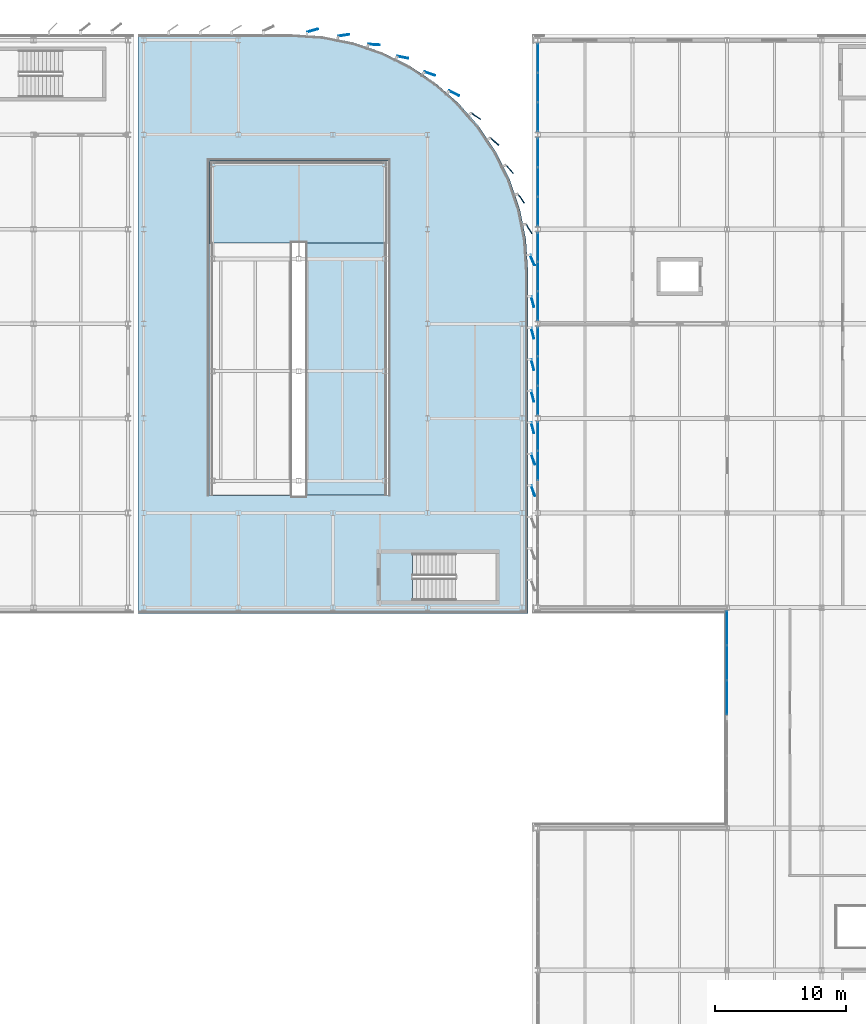
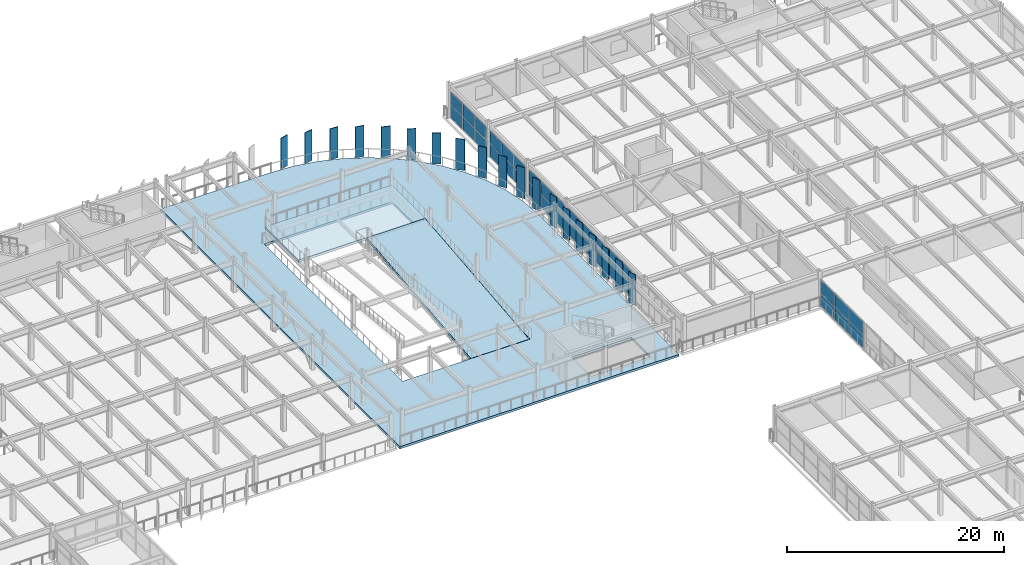
# One storey, part 58 of 93: 53 plates, 3 slabs, 6 elements without a shape of their own.
"""IFC4 building model written with IfcOpenShell, lengths in metres."""

from ifc_helpers import new_model, si_unit, direction, frame, origin, origin_2d, place, context, subcontext, project, spatial, polyline, rectangle, outline, extrude, material, layer, layer_set, type_object, element, aggregate, save


model = new_model("IFC4")

# Units and contexts
model_context = context("Model", 3, precision=1e-05, world=origin(), true_north=direction((0.0, 1.0)))
body_context = subcontext(model_context, "Body", "Model", "MODEL_VIEW")
ifc_project = project(units=[si_unit("LENGTHUNIT", "METRE"), si_unit("AREAUNIT", "SQUARE_METRE"), si_unit("VOLUMEUNIT", "CUBIC_METRE"), si_unit("PLANEANGLEUNIT", "RADIAN"), si_unit("MASSUNIT", "GRAM", prefix="KILO")], contexts=[model_context])

# Site, building, storey
site_placement = place(None, origin())
site = spatial("IfcSite", under=ifc_project, at=site_placement, CompositionType="ELEMENT")
building_placement = place(site_placement, origin())
building = spatial("IfcBuilding", under=site, at=building_placement, Name="Vaelcorin Mobility Hub", CompositionType="ELEMENT")
storey_placement = place(building_placement, frame((0.0, 0.0, 5.39990234375)))
storey = spatial("IfcBuildingStorey", under=building, at=storey_placement, Name="L01", CompositionType="ELEMENT", Elevation=5.39990234375)

# Curtain wall, plates
ifc_material_1 = material(Name="Anodised aluminium 6063-T6", Category="aluminium")
curtain_wall_type = type_object("IfcCurtainWallType", Name="CW-MOB-A", PredefinedType="NOTDEFINED", material=ifc_material_1)
curtain_wall_1_placement = place(storey_placement, origin())
curtain_wall_1 = element("IfcCurtainWall", 1, at=curtain_wall_1_placement, inside=storey, type_object=curtain_wall_type, Name="L01 Curtain Wall CW-V5-L01-WN-02", PredefinedType="NOTDEFINED")
ifc_material_2 = material(Name="Low-E solar-control insulated glazing", Category="glass")
ifc_layer_1 = layer(ifc_material_2, 0.028076171875)
ifc_layer_set_1 = layer_set([ifc_layer_1], Name="Low-E solar-control insulated glazing")
plate_type_1 = type_object("IfcPlateType", Name="CW-PAN-GLZ28", PredefinedType="CURTAIN_PANEL", material=ifc_layer_set_1)
plate_1_placement = place(storey_placement, frame((153.60009765625, 87.60009765625, 0.06005859375), z_axis=(0.0, 0.0, 1.0), x_axis=(0.0, 1.0, 0.0)))
plate_1 = element("IfcPlate", 2, at=plate_1_placement, type_object=plate_type_1, Name="CW7 panel 2.1", PredefinedType="CURTAIN_PANEL", context=body_context, shape_type="SweptSolid", body=[
    extrude(rectangle(XDim=2.193359375, YDim=0.028076171875, at=origin_2d()), origin(), (0.0, 0.0, 1.0), 1.431884765625),
])
plate_2_placement = place(storey_placement, frame((153.60009765625, 87.60009765625, 1.55224609375), z_axis=(0.0, 0.0, 1.0), x_axis=(0.0, 1.0, 0.0)))
plate_2 = element("IfcPlate", 3, at=plate_2_placement, type_object=plate_type_1, Name="CW7 panel 2.2", PredefinedType="CURTAIN_PANEL", context=body_context, shape_type="SweptSolid", body=[
    extrude(rectangle(XDim=2.193359375, YDim=0.028076171875, at=origin_2d()), origin(), (0.0, 0.0, 1.0), 1.430908203125),
])
plate_3_placement = place(storey_placement, frame((153.60009765625, 89.83837890625, 0.06005859375), z_axis=(0.0, 0.0, 1.0), x_axis=(0.0, 1.0, 0.0)))
plate_3 = element("IfcPlate", 4, at=plate_3_placement, type_object=plate_type_1, Name="CW7 panel 3.1", PredefinedType="CURTAIN_PANEL", context=body_context, shape_type="SweptSolid", body=[
    extrude(rectangle(XDim=2.163330078125, YDim=0.028076171875, at=origin_2d()), origin(), (0.0, 0.0, 1.0), 1.431884765625),
])
plate_4_placement = place(storey_placement, frame((153.60009765625, 89.83837890625, 1.55224609375), z_axis=(0.0, 0.0, 1.0), x_axis=(0.0, 1.0, 0.0)))
plate_4 = element("IfcPlate", 5, at=plate_4_placement, type_object=plate_type_1, Name="CW7 panel 3.2", PredefinedType="CURTAIN_PANEL", context=body_context, shape_type="SweptSolid", body=[
    extrude(rectangle(XDim=2.163330078125, YDim=0.028076171875, at=origin_2d()), origin(), (0.0, 0.0, 1.0), 1.430908203125),
])
aggregate(curtain_wall_1, [plate_1, plate_2, plate_3, plate_4])

curtain_wall_2_placement = place(storey_placement, origin())
curtain_wall_2 = element("IfcCurtainWall", 6, at=curtain_wall_2_placement, inside=storey, type_object=curtain_wall_type, Name="L01 Curtain Wall CW-V5-L01-WN-03", PredefinedType="NOTDEFINED")
plate_5_placement = place(storey_placement, frame((153.60009765625, 92.561767578125, 0.06005859375), z_axis=(0.0, 0.0, 1.0), x_axis=(0.0, 1.0, 0.0)))
plate_5 = element("IfcPlate", 7, at=plate_5_placement, type_object=plate_type_1, Name="CW7 panel 1.1", PredefinedType="CURTAIN_PANEL", context=body_context, shape_type="SweptSolid", body=[
    extrude(rectangle(XDim=2.163330078125, YDim=0.028076171875, at=origin_2d()), origin(), (0.0, 0.0, 1.0), 1.431884765625),
])
plate_6_placement = place(storey_placement, frame((153.60009765625, 92.561767578125, 1.55224609375), z_axis=(0.0, 0.0, 1.0), x_axis=(0.0, 1.0, 0.0)))
plate_6 = element("IfcPlate", 8, at=plate_6_placement, type_object=plate_type_1, Name="CW7 panel 1.2", PredefinedType="CURTAIN_PANEL", context=body_context, shape_type="SweptSolid", body=[
    extrude(rectangle(XDim=2.163330078125, YDim=0.028076171875, at=origin_2d()), origin(), (0.0, 0.0, 1.0), 1.430908203125),
])
plate_7_placement = place(storey_placement, frame((153.60009765625, 94.800048828125, 0.06005859375), z_axis=(0.0, 0.0, 1.0), x_axis=(0.0, 1.0, 0.0)))
plate_7 = element("IfcPlate", 9, at=plate_7_placement, type_object=plate_type_1, Name="CW7 panel 2.1", PredefinedType="CURTAIN_PANEL", context=body_context, shape_type="SweptSolid", body=[
    extrude(rectangle(XDim=2.193359375, YDim=0.028076171875, at=origin_2d()), origin(), (0.0, 0.0, 1.0), 1.431884765625),
])
plate_8_placement = place(storey_placement, frame((153.60009765625, 94.800048828125, 1.55224609375), z_axis=(0.0, 0.0, 1.0), x_axis=(0.0, 1.0, 0.0)))
plate_8 = element("IfcPlate", 10, at=plate_8_placement, type_object=plate_type_1, Name="CW7 panel 2.2", PredefinedType="CURTAIN_PANEL", context=body_context, shape_type="SweptSolid", body=[
    extrude(rectangle(XDim=2.193359375, YDim=0.028076171875, at=origin_2d()), origin(), (0.0, 0.0, 1.0), 1.430908203125),
])
plate_9_placement = place(storey_placement, frame((153.60009765625, 97.038330078125, 0.06005859375), z_axis=(0.0, 0.0, 1.0), x_axis=(0.0, 1.0, 0.0)))
plate_9 = element("IfcPlate", 11, at=plate_9_placement, type_object=plate_type_1, Name="CW7 panel 3.1", PredefinedType="CURTAIN_PANEL", context=body_context, shape_type="SweptSolid", body=[
    extrude(rectangle(XDim=2.163330078125, YDim=0.028076171875, at=origin_2d()), origin(), (0.0, 0.0, 1.0), 1.431884765625),
])
plate_10_placement = place(storey_placement, frame((153.60009765625, 97.038330078125, 1.55224609375), z_axis=(0.0, 0.0, 1.0), x_axis=(0.0, 1.0, 0.0)))
plate_10 = element("IfcPlate", 12, at=plate_10_placement, type_object=plate_type_1, Name="CW7 panel 3.2", PredefinedType="CURTAIN_PANEL", context=body_context, shape_type="SweptSolid", body=[
    extrude(rectangle(XDim=2.163330078125, YDim=0.028076171875, at=origin_2d()), origin(), (0.0, 0.0, 1.0), 1.430908203125),
])
aggregate(curtain_wall_2, [plate_5, plate_6, plate_7, plate_8, plate_9, plate_10])

curtain_wall_3_placement = place(storey_placement, origin())
curtain_wall_3 = element("IfcCurtainWall", 13, at=curtain_wall_3_placement, inside=storey, type_object=curtain_wall_type, Name="L01 Curtain Wall CW-V5-L01-WN-04", PredefinedType="NOTDEFINED")
plate_11_placement = place(storey_placement, frame((153.60009765625, 99.76171875, 0.06005859375), z_axis=(0.0, 0.0, 1.0), x_axis=(0.0, 1.0, 0.0)))
plate_11 = element("IfcPlate", 14, at=plate_11_placement, type_object=plate_type_1, Name="CW7 panel 1.1", PredefinedType="CURTAIN_PANEL", context=body_context, shape_type="SweptSolid", body=[
    extrude(rectangle(XDim=2.163330078125, YDim=0.028076171875, at=origin_2d()), origin(), (0.0, 0.0, 1.0), 1.431884765625),
])
plate_12_placement = place(storey_placement, frame((153.60009765625, 99.76171875, 1.55224609375), z_axis=(0.0, 0.0, 1.0), x_axis=(0.0, 1.0, 0.0)))
plate_12 = element("IfcPlate", 15, at=plate_12_placement, type_object=plate_type_1, Name="CW7 panel 1.2", PredefinedType="CURTAIN_PANEL", context=body_context, shape_type="SweptSolid", body=[
    extrude(rectangle(XDim=2.163330078125, YDim=0.028076171875, at=origin_2d()), origin(), (0.0, 0.0, 1.0), 1.430908203125),
])
plate_13_placement = place(storey_placement, frame((153.60009765625, 102.0, 0.06005859375), z_axis=(0.0, 0.0, 1.0), x_axis=(0.0, 1.0, 0.0)))
plate_13 = element("IfcPlate", 16, at=plate_13_placement, type_object=plate_type_1, Name="CW7 panel 2.1", PredefinedType="CURTAIN_PANEL", context=body_context, shape_type="SweptSolid", body=[
    extrude(rectangle(XDim=2.193359375, YDim=0.028076171875, at=origin_2d()), origin(), (0.0, 0.0, 1.0), 1.431884765625),
])
plate_14_placement = place(storey_placement, frame((153.60009765625, 102.0, 1.55224609375), z_axis=(0.0, 0.0, 1.0), x_axis=(0.0, 1.0, 0.0)))
plate_14 = element("IfcPlate", 17, at=plate_14_placement, type_object=plate_type_1, Name="CW7 panel 2.2", PredefinedType="CURTAIN_PANEL", context=body_context, shape_type="SweptSolid", body=[
    extrude(rectangle(XDim=2.193359375, YDim=0.028076171875, at=origin_2d()), origin(), (0.0, 0.0, 1.0), 1.430908203125),
])
plate_15_placement = place(storey_placement, frame((153.60009765625, 104.23828125, 0.06005859375), z_axis=(0.0, 0.0, 1.0), x_axis=(0.0, 1.0, 0.0)))
plate_15 = element("IfcPlate", 18, at=plate_15_placement, type_object=plate_type_1, Name="CW7 panel 3.1", PredefinedType="CURTAIN_PANEL", context=body_context, shape_type="SweptSolid", body=[
    extrude(rectangle(XDim=2.163330078125, YDim=0.028076171875, at=origin_2d()), origin(), (0.0, 0.0, 1.0), 1.431884765625),
])
plate_16_placement = place(storey_placement, frame((153.60009765625, 104.23828125, 1.55224609375), z_axis=(0.0, 0.0, 1.0), x_axis=(0.0, 1.0, 0.0)))
plate_16 = element("IfcPlate", 19, at=plate_16_placement, type_object=plate_type_1, Name="CW7 panel 3.2", PredefinedType="CURTAIN_PANEL", context=body_context, shape_type="SweptSolid", body=[
    extrude(rectangle(XDim=2.163330078125, YDim=0.028076171875, at=origin_2d()), origin(), (0.0, 0.0, 1.0), 1.430908203125),
])
aggregate(curtain_wall_3, [plate_11, plate_12, plate_13, plate_14, plate_15, plate_16])

curtain_wall_4_placement = place(storey_placement, origin())
curtain_wall_4 = element("IfcCurtainWall", 20, at=curtain_wall_4_placement, inside=storey, type_object=curtain_wall_type, Name="L01 Curtain Wall CW-V5-L01-WN-05", PredefinedType="NOTDEFINED")
plate_17_placement = place(storey_placement, frame((153.60009765625, 106.961669921875, 0.06005859375), z_axis=(0.0, 0.0, 1.0), x_axis=(0.0, 1.0, 0.0)))
plate_17 = element("IfcPlate", 21, at=plate_17_placement, type_object=plate_type_1, Name="CW7 panel 1.1", PredefinedType="CURTAIN_PANEL", context=body_context, shape_type="SweptSolid", body=[
    extrude(rectangle(XDim=2.163330078125, YDim=0.028076171875, at=origin_2d()), origin(), (0.0, 0.0, 1.0), 1.431884765625),
])
plate_18_placement = place(storey_placement, frame((153.60009765625, 106.961669921875, 1.55224609375), z_axis=(0.0, 0.0, 1.0), x_axis=(0.0, 1.0, 0.0)))
plate_18 = element("IfcPlate", 22, at=plate_18_placement, type_object=plate_type_1, Name="CW7 panel 1.2", PredefinedType="CURTAIN_PANEL", context=body_context, shape_type="SweptSolid", body=[
    extrude(rectangle(XDim=2.163330078125, YDim=0.028076171875, at=origin_2d()), origin(), (0.0, 0.0, 1.0), 1.430908203125),
])
plate_19_placement = place(storey_placement, frame((153.60009765625, 109.199951171875, 0.06005859375), z_axis=(0.0, 0.0, 1.0), x_axis=(0.0, 1.0, 0.0)))
plate_19 = element("IfcPlate", 23, at=plate_19_placement, type_object=plate_type_1, Name="CW7 panel 2.1", PredefinedType="CURTAIN_PANEL", context=body_context, shape_type="SweptSolid", body=[
    extrude(rectangle(XDim=2.193359375, YDim=0.028076171875, at=origin_2d()), origin(), (0.0, 0.0, 1.0), 1.431884765625),
])
plate_20_placement = place(storey_placement, frame((153.60009765625, 109.199951171875, 1.55224609375), z_axis=(0.0, 0.0, 1.0), x_axis=(0.0, 1.0, 0.0)))
plate_20 = element("IfcPlate", 24, at=plate_20_placement, type_object=plate_type_1, Name="CW7 panel 2.2", PredefinedType="CURTAIN_PANEL", context=body_context, shape_type="SweptSolid", body=[
    extrude(rectangle(XDim=2.193359375, YDim=0.028076171875, at=origin_2d()), origin(), (0.0, 0.0, 1.0), 1.430908203125),
])
plate_21_placement = place(storey_placement, frame((153.60009765625, 111.438232421875, 0.06005859375), z_axis=(0.0, 0.0, 1.0), x_axis=(0.0, 1.0, 0.0)))
plate_21 = element("IfcPlate", 25, at=plate_21_placement, type_object=plate_type_1, Name="CW7 panel 3.1", PredefinedType="CURTAIN_PANEL", context=body_context, shape_type="SweptSolid", body=[
    extrude(rectangle(XDim=2.163330078125, YDim=0.028076171875, at=origin_2d()), origin(), (0.0, 0.0, 1.0), 1.431884765625),
])
plate_22_placement = place(storey_placement, frame((153.60009765625, 111.438232421875, 1.55224609375), z_axis=(0.0, 0.0, 1.0), x_axis=(0.0, 1.0, 0.0)))
plate_22 = element("IfcPlate", 26, at=plate_22_placement, type_object=plate_type_1, Name="CW7 panel 3.2", PredefinedType="CURTAIN_PANEL", context=body_context, shape_type="SweptSolid", body=[
    extrude(rectangle(XDim=2.163330078125, YDim=0.028076171875, at=origin_2d()), origin(), (0.0, 0.0, 1.0), 1.430908203125),
])
aggregate(curtain_wall_4, [plate_17, plate_18, plate_19, plate_20, plate_21, plate_22])

curtain_wall_5_placement = place(storey_placement, origin())
curtain_wall_5 = element("IfcCurtainWall", 27, at=curtain_wall_5_placement, inside=storey, type_object=curtain_wall_type, Name="L01 Curtain Wall CW-V5-L01-WN-06", PredefinedType="NOTDEFINED")
plate_23_placement = place(storey_placement, frame((153.60009765625, 114.16162109375, 0.06005859375), z_axis=(0.0, 0.0, 1.0), x_axis=(0.0, 1.0, 0.0)))
plate_23 = element("IfcPlate", 28, at=plate_23_placement, type_object=plate_type_1, Name="CW7 panel 1.1", PredefinedType="CURTAIN_PANEL", context=body_context, shape_type="SweptSolid", body=[
    extrude(rectangle(XDim=2.163330078125, YDim=0.028076171875, at=origin_2d()), origin(), (0.0, 0.0, 1.0), 1.431884765625),
])
plate_24_placement = place(storey_placement, frame((153.60009765625, 114.16162109375, 1.55224609375), z_axis=(0.0, 0.0, 1.0), x_axis=(0.0, 1.0, 0.0)))
plate_24 = element("IfcPlate", 29, at=plate_24_placement, type_object=plate_type_1, Name="CW7 panel 1.2", PredefinedType="CURTAIN_PANEL", context=body_context, shape_type="SweptSolid", body=[
    extrude(rectangle(XDim=2.163330078125, YDim=0.028076171875, at=origin_2d()), origin(), (0.0, 0.0, 1.0), 1.430908203125),
])
plate_25_placement = place(storey_placement, frame((153.60009765625, 116.39990234375, 0.06005859375), z_axis=(0.0, 0.0, 1.0), x_axis=(0.0, 1.0, 0.0)))
plate_25 = element("IfcPlate", 30, at=plate_25_placement, type_object=plate_type_1, Name="CW7 panel 2.1", PredefinedType="CURTAIN_PANEL", context=body_context, shape_type="SweptSolid", body=[
    extrude(rectangle(XDim=2.193359375, YDim=0.028076171875, at=origin_2d()), origin(), (0.0, 0.0, 1.0), 1.431884765625),
])
plate_26_placement = place(storey_placement, frame((153.60009765625, 116.39990234375, 1.55224609375), z_axis=(0.0, 0.0, 1.0), x_axis=(0.0, 1.0, 0.0)))
plate_26 = element("IfcPlate", 31, at=plate_26_placement, type_object=plate_type_1, Name="CW7 panel 2.2", PredefinedType="CURTAIN_PANEL", context=body_context, shape_type="SweptSolid", body=[
    extrude(rectangle(XDim=2.193359375, YDim=0.028076171875, at=origin_2d()), origin(), (0.0, 0.0, 1.0), 1.430908203125),
])
plate_27_placement = place(storey_placement, frame((153.60009765625, 118.638427734375, 0.06005859375), z_axis=(0.0, 0.0, 1.0), x_axis=(0.0, 1.0, 0.0)))
plate_27 = element("IfcPlate", 32, at=plate_27_placement, type_object=plate_type_1, Name="CW7 panel 3.1", PredefinedType="CURTAIN_PANEL", context=body_context, shape_type="SweptSolid", body=[
    extrude(rectangle(XDim=2.163330078125, YDim=0.028076171875, at=origin_2d()), origin(), (0.0, 0.0, 1.0), 1.431884765625),
])
plate_28_placement = place(storey_placement, frame((153.60009765625, 118.638427734375, 1.55224609375), z_axis=(0.0, 0.0, 1.0), x_axis=(0.0, 1.0, 0.0)))
plate_28 = element("IfcPlate", 33, at=plate_28_placement, type_object=plate_type_1, Name="CW7 panel 3.2", PredefinedType="CURTAIN_PANEL", context=body_context, shape_type="SweptSolid", body=[
    extrude(rectangle(XDim=2.163330078125, YDim=0.028076171875, at=origin_2d()), origin(), (0.0, 0.0, 1.0), 1.430908203125),
])
aggregate(curtain_wall_5, [plate_23, plate_24, plate_25, plate_26, plate_27, plate_28])

curtain_wall_6_placement = place(storey_placement, origin())
curtain_wall_6 = element("IfcCurtainWall", 34, at=curtain_wall_6_placement, inside=storey, type_object=curtain_wall_type, Name="L01 Curtain Wall CW-V5-L01-NOTCH-2", PredefinedType="NOTDEFINED")
plate_29_placement = place(storey_placement, frame((168.0, 69.961669921875, 0.06005859375), z_axis=(0.0, 0.0, 1.0), x_axis=(0.0, 1.0, 0.0)))
plate_29 = element("IfcPlate", 35, at=plate_29_placement, type_object=plate_type_1, Name="CW7 panel 1.1", PredefinedType="CURTAIN_PANEL", context=body_context, shape_type="SweptSolid", body=[
    extrude(rectangle(XDim=2.563232421875, YDim=0.028076171875, at=origin_2d()), origin(), (0.0, 0.0, 1.0), 1.431884765625),
])
plate_30_placement = place(storey_placement, frame((168.0, 69.961669921875, 1.55224609375), z_axis=(0.0, 0.0, 1.0), x_axis=(0.0, 1.0, 0.0)))
plate_30 = element("IfcPlate", 36, at=plate_30_placement, type_object=plate_type_1, Name="CW7 panel 1.2", PredefinedType="CURTAIN_PANEL", context=body_context, shape_type="SweptSolid", body=[
    extrude(rectangle(XDim=2.563232421875, YDim=0.028076171875, at=origin_2d()), origin(), (0.0, 0.0, 1.0), 1.430908203125),
])
plate_31_placement = place(storey_placement, frame((168.0, 72.60009765625, 0.06005859375), z_axis=(0.0, 0.0, 1.0), x_axis=(0.0, 1.0, 0.0)))
plate_31 = element("IfcPlate", 37, at=plate_31_placement, type_object=plate_type_1, Name="CW7 panel 2.1", PredefinedType="CURTAIN_PANEL", context=body_context, shape_type="SweptSolid", body=[
    extrude(rectangle(XDim=2.59326171875, YDim=0.028076171875, at=origin_2d()), origin(), (0.0, 0.0, 1.0), 1.431884765625),
])
plate_32_placement = place(storey_placement, frame((168.0, 72.60009765625, 1.55224609375), z_axis=(0.0, 0.0, 1.0), x_axis=(0.0, 1.0, 0.0)))
plate_32 = element("IfcPlate", 38, at=plate_32_placement, type_object=plate_type_1, Name="CW7 panel 2.2", PredefinedType="CURTAIN_PANEL", context=body_context, shape_type="SweptSolid", body=[
    extrude(rectangle(XDim=2.59326171875, YDim=0.028076171875, at=origin_2d()), origin(), (0.0, 0.0, 1.0), 1.430908203125),
])
plate_33_placement = place(storey_placement, frame((168.0, 75.23828125, 0.06005859375), z_axis=(0.0, 0.0, 1.0), x_axis=(0.0, 1.0, 0.0)))
plate_33 = element("IfcPlate", 39, at=plate_33_placement, type_object=plate_type_1, Name="CW7 panel 3.1", PredefinedType="CURTAIN_PANEL", context=body_context, shape_type="SweptSolid", body=[
    extrude(rectangle(XDim=2.563232421875, YDim=0.028076171875, at=origin_2d()), origin(), (0.0, 0.0, 1.0), 1.431884765625),
])
plate_34_placement = place(storey_placement, frame((168.0, 75.23828125, 1.55224609375), z_axis=(0.0, 0.0, 1.0), x_axis=(0.0, 1.0, 0.0)))
plate_34 = element("IfcPlate", 40, at=plate_34_placement, type_object=plate_type_1, Name="CW7 panel 3.2", PredefinedType="CURTAIN_PANEL", context=body_context, shape_type="SweptSolid", body=[
    extrude(rectangle(XDim=2.563232421875, YDim=0.028076171875, at=origin_2d()), origin(), (0.0, 0.0, 1.0), 1.430908203125),
])
aggregate(curtain_wall_6, [plate_29, plate_30, plate_31, plate_32, plate_33, plate_34])

# Plates
ifc_material_3 = material(Name="Perforated terracotta-bronze aluminium aerofoil", Category="masonry")
ifc_layer_2 = layer(ifc_material_3, 0.070068359375)
ifc_layer_set_2 = layer_set([ifc_layer_2], Name="Perforated terracotta-bronze aluminium aerofoil")
plate_type_2 = type_object("IfcPlateType", Name="PL-FIN-AF3", PredefinedType="SHEET", material=ifc_layer_set_2)
for number, where, z_axis, x_axis, name in (
    (41, (153.18408203125, 103.2509765625, -0.159912109375), (0.0, 0.0, 1.0), (0.402762664996, -0.915304449724, 0.0), "Rotating Terracotta-Bronze Aerofoil Fin FIN-V2E-L01-ARC-01"),
    (42, (152.922119140625, 105.636962890625, -0.159912109375), (0.0, 0.0, 1.0), (0.51859419446, -0.855020503539, 0.0), "Rotating Terracotta-Bronze Aerofoil Fin FIN-V2E-L01-ARC-02"),
    (43, (152.322021484375, 107.947021484375, -0.159912109375), (0.0, 0.0, 1.0), (0.555686322663, -0.831392031959, 0.0), "Rotating Terracotta-Bronze Aerofoil Fin FIN-V2E-L01-ARC-03"),
    (44, (151.455078125, 110.180908203125, -0.159912109375), (0.0, 0.0, 1.0), (0.659477025858, -0.751724718475, 0.0), "Rotating Terracotta-Bronze Aerofoil Fin FIN-V2E-L01-ARC-04"),
    (45, (150.302978515625, 112.281982421875, -0.159912109375), (0.0, 0.0, 1.0), (0.751770756824, -0.659424543965, 0.0), "Rotating Terracotta-Bronze Aerofoil Fin FIN-V2E-L01-ARC-05"),
    (46, (148.887939453125, 114.215087890625, -0.159912109375), (0.0, 0.0, 1.0), (0.831421126488, -0.555642790316, 0.0), "Rotating Terracotta-Bronze Aerofoil Fin FIN-V2E-L01-ARC-06"),
    (47, (147.23193359375, 115.947021484375, -0.159912109375), (0.0, 0.0, 1.0), (0.896911335087, -0.442210421623, 0.0), "Rotating Terracotta-Bronze Aerofoil Fin FIN-V2E-L01-ARC-07"),
    (48, (145.364990234375, 117.447021484375, -0.159912109375), (0.0, 0.0, 1.0), (0.946963785365, -0.32134030125, 0.0), "Rotating Terracotta-Bronze Aerofoil Fin FIN-V2E-L01-ARC-08"),
    (49, (143.31689453125, 118.69091796875, -0.159912109375), (0.0, 0.0, 1.0), (0.980751215781, -0.195261498368, 0.0), "Rotating Terracotta-Bronze Aerofoil Fin FIN-V2E-L01-ARC-09"),
    (50, (141.125, 119.657958984375, -0.159912109375), (0.0, 0.0, 1.0), (0.997849781512, -0.065542455982, 0.0), "Rotating Terracotta-Bronze Aerofoil Fin FIN-V2E-L01-ARC-10"),
    (51, (138.821044921875, 120.366943359375, -0.159912109375), (0.0, 0.0, 1.0), (0.988329628143, 0.152330384803, 0.0), "Rotating Terracotta-Bronze Aerofoil Fin FIN-V2E-L01-ARC-11"),
    (52, (136.447998046875, 120.73095703125, -0.159912109375), (0.0, 0.0, 1.0), (0.960054738177, 0.279812257957, 0.0), "Rotating Terracotta-Bronze Aerofoil Fin FIN-V2E-L01-ARC-12"),
    (53, (153.199951171875, 100.089111328125, -0.159912109375), (0.0, 0.0, 1.0), (0.258819045103, -0.965925826289, 0.0), "Rotating Terracotta-Bronze Aerofoil Fin FIN-V2E-L01-E-AF-01"),
    (54, (153.199951171875, 97.68896484375, -0.159912109375), (0.0, 0.0, 1.0), (0.258819045103, -0.965925826289, 0.0), "Rotating Terracotta-Bronze Aerofoil Fin FIN-V2E-L01-E-AF-02"),
    (55, (153.199951171875, 95.2890625, -0.159912109375), (0.0, 0.0, 1.0), (0.258819045103, -0.965925826289, 0.0), "Rotating Terracotta-Bronze Aerofoil Fin FIN-V2E-L01-E-AF-03"),
    (56, (153.199951171875, 92.888916015625, -0.159912109375), (0.0, 0.0, 1.0), (0.258819045103, -0.965925826289, 0.0), "Rotating Terracotta-Bronze Aerofoil Fin FIN-V2E-L01-E-AF-04"),
    (57, (153.199951171875, 90.489013671875, -0.159912109375), (0.0, 0.0, 1.0), (0.258819045103, -0.965925826289, 0.0), "Rotating Terracotta-Bronze Aerofoil Fin FIN-V2E-L01-E-AF-05"),
    (58, (153.235107421875, 88.10107421875, -0.159912109375), (0.0, 0.0, 1.0), (0.342020143326, -0.939692620786, 0.0), "Rotating Terracotta-Bronze Aerofoil Fin FIN-V2E-L01-E-AF-06"),
    (59, (153.235107421875, 85.700927734375, -0.159912109375), (0.0, 0.0, 1.0), (0.342020143326, -0.939692620786, 0.0), "Rotating Terracotta-Bronze Aerofoil Fin FIN-V2E-L01-E-AF-07"),
):
    element("IfcPlate", number, at=place(storey_placement, frame(where, z_axis=z_axis, x_axis=x_axis)), inside=storey, type_object=plate_type_2, Name=name, PredefinedType="SHEET", context=body_context, shape_type="SweptSolid", body=[
        extrude(rectangle(XDim=0.85009765625, YDim=0.070068359375, at=origin_2d()), origin(), (0.0, 0.0, 1.0), 3.5),
    ])

# Slabs
ifc_material_4 = material(Name="Concrete f'c 35 MPa", Category="concrete")
ifc_layer_3 = layer(ifc_material_4, 0.25)
ifc_layer_set_3 = layer_set([ifc_layer_3], Name="Concrete f'c 35 MPa")
slab_type_1 = type_object("IfcSlabType", Name="SLAB-RMP", PredefinedType="FLOOR", material=ifc_layer_set_3)
slab_1_placement = place(storey_placement, frame((0.0, 0.0, -0.25)))
element("IfcSlab", 60, at=slab_1_placement, inside=storey, type_object=slab_type_1, Name="L01 V2E Ramp Transition Deck SL-V2E-L01", PredefinedType="FLOOR", context=body_context, shape_type="SweptSolid", body=[
    extrude(outline(polyline([(123.14990234375, 120.449951171875), (134.85009765625, 120.449951171875), (137.198974609375, 120.2958984375), (139.509033203125, 119.8369140625), (141.738037109375, 119.080078125), (143.85009765625, 118.0380859375), (145.80810546875, 116.72998046875), (147.577880859375, 115.177978515625), (149.1298828125, 113.407958984375), (150.43798828125, 111.449951171875), (151.47998046875, 109.337890625), (152.237060546875, 107.10888671875), (152.696044921875, 104.799072265625), (152.85009765625, 102.449951171875), (152.85009765625, 76.35009765625), (123.14990234375, 76.35009765625), (123.14990234375, 120.449951171875)]), holes=[polyline([(150.39990234375, 80.909912109375), (144.054931640625, 80.909912109375), (144.054931640625, 77.35009765625), (150.39990234375, 77.35009765625), (150.39990234375, 80.909912109375)]), polyline([(142.199951171875, 110.800048828125), (128.60009765625, 110.800048828125), (128.60009765625, 85.340087890625), (142.199951171875, 85.340087890625), (142.199951171875, 110.800048828125)])]), origin(), (0.0, 0.0, 1.0), 0.25),
])
slab_2_placement = place(storey_placement, frame((0.0, 0.0, 1.670166015625)))
element("IfcSlab", 61, at=slab_2_placement, inside=storey, type_object=slab_type_1, Name="Vehicle Ramp VR-2 L01 Half-Turn Landing", PredefinedType="LANDING", context=body_context, shape_type="SweptSolid", body=[
    extrude(outline(polyline([(128.64990234375, 104.56005859375), (142.14990234375, 104.56005859375), (142.14990234375, 110.75), (128.64990234375, 110.75), (128.64990234375, 104.56005859375)])), origin(), (0.0, 0.0, 1.0), 0.280029296875),
])
ifc_layer_4 = layer(ifc_material_4, 0.280029296875)
ifc_layer_set_4 = layer_set([ifc_layer_4], Name="Concrete f'c 35 MPa")
slab_type_2 = type_object("IfcSlabType", Name="SLAB-RMP-VR2", PredefinedType="FLOOR", material=ifc_layer_set_4)
slab_3_placement = place(storey_placement, frame((135.89990234375, 85.360107421875, 0.0), z_axis=(0.0, -0.101157381421, 0.994870435878), x_axis=(1.0, 0.0, 0.0)))
element("IfcSlab", 62, at=slab_3_placement, inside=storey, type_object=slab_type_2, Name="Vehicle Ramp VR-2 Slab L01 Flight 1", PredefinedType="FLOOR", context=body_context, shape_type="SweptSolid", body=[
    extrude(outline(polyline([(0.0, 0.0), (6.2001953125, 0.0), (6.2001953125, 19.278823602490505), (0.0, 19.278823602490505), (0.0, 0.0)])), origin(), (0.0, 0.0, -1.0), 0.280029296875),
])

save(model, "model.ifc")
